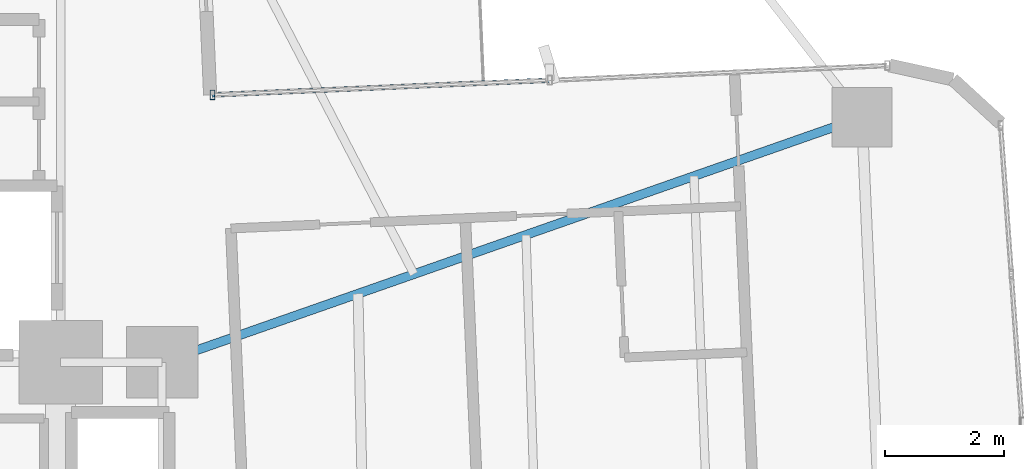
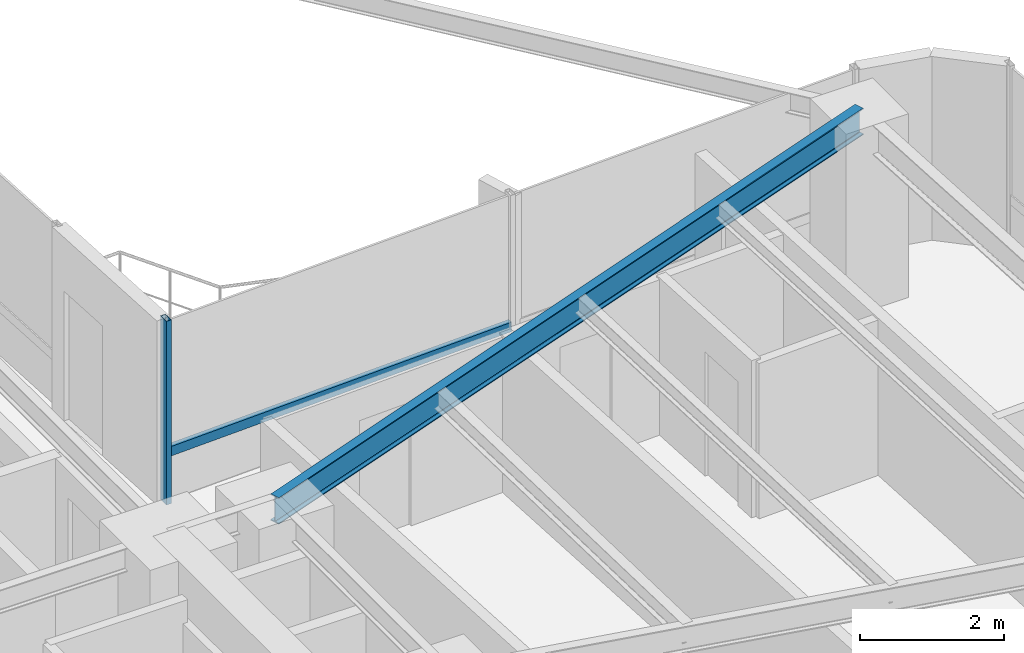
# One storey, part 13 of 26: 2 members, 1 beam, 1 element without a shape of its own.
"""IFC4 building model written with IfcOpenShell, lengths in metres."""

from ifc_helpers import new_model, si_unit, direction, frame, origin, origin_2d, place, context, subcontext, project, spatial, hollow_rectangle, i_section, extrude, source, transform, mapped, material, material_profile, profile_set, type_object, element, aggregate, save


model = new_model("IFC4")

# Units and contexts
model_context = context("Model", 3, precision=1e-05, world=origin(), true_north=direction((0.0, 1.0)))
body_context = subcontext(model_context, "Body", "Model", "MODEL_VIEW")
ifc_project = project(units=[si_unit("LENGTHUNIT", "METRE"), si_unit("AREAUNIT", "SQUARE_METRE"), si_unit("VOLUMEUNIT", "CUBIC_METRE"), si_unit("PLANEANGLEUNIT", "RADIAN"), si_unit("MASSUNIT", "GRAM", prefix="KILO")], contexts=[model_context])

# Site, building, storey
site_placement = place(None, origin())
site = spatial("IfcSite", under=ifc_project, at=site_placement, CompositionType="ELEMENT")
building_placement = place(site_placement, origin())
building = spatial("IfcBuilding", under=site, at=building_placement, Name="Sahyath Konkavel Grand Hotel", CompositionType="ELEMENT")
storey_placement = place(building_placement, frame((0.0, 0.0, 118.14990234375)))
storey = spatial("IfcBuildingStorey", under=building, at=storey_placement, Name="L32", CompositionType="ELEMENT", Elevation=118.14990234375)

# Beam
ifc_material_1 = material(Name="Steel E350", Category="steel")
ifc_material_profile_1 = material_profile(ifc_material_1, i_section(OverallWidth=0.14990234375, OverallDepth=0.449951171875, WebThickness=0.009521484375, FlangeThickness=0.017333984375, FilletRadius=0.014892578125, at=origin_2d()), Name="ISMB 450")
ifc_profile_set_1 = profile_set([ifc_material_profile_1], Name="Steel E350")
beam_type = type_object("IfcBeamType", Name="BM-ISMB450", PredefinedType="BEAM", material=ifc_profile_set_1)
shared_shape_1 = source(origin(), body_context, "Body", "SweptSolid", [
    extrude(i_section(OverallWidth=0.14990234375, OverallDepth=0.449951171875, WebThickness=0.009521484375, FlangeThickness=0.017333984375, FilletRadius=0.014892578125, at=origin_2d()), origin(), (0.0, 0.0, 1.0), 12.430908203125),
])
beam_placement = place(storey_placement, frame((5.5, 2.39990234375, 2.885009765625), z_axis=(0.943819157235, 0.330462400941, 0.0), x_axis=(-0.330462400941, 0.943819157235, 0.0)))
element("IfcBeam", 1, at=beam_placement, inside=storey, type_object=beam_type, Name="L32 Cruciform Radial Girder EB", PredefinedType="BEAM", context=body_context, shape_type="MappedRepresentation", body=[
    mapped(shared_shape_1, transform((0.0, 0.0, 0.0), scale=1.0)),
])

# Curtain wall, members
ifc_material_2 = material(Name="Anodised Bronze Aluminium & Low-E Glazing", Category="aluminium")
curtain_wall_type = type_object("IfcCurtainWallType", Name="CW-ZONE2", PredefinedType="NOTDEFINED", material=ifc_material_2)
curtain_wall_placement = place(storey_placement, origin())
curtain_wall = element("IfcCurtainWall", 2, at=curtain_wall_placement, inside=storey, type_object=curtain_wall_type, Name="L32 Unitised Curtain Wall F7", PredefinedType="NOTDEFINED")
ifc_material_3 = material(Name="Anodised Bronze Aluminium", Category="aluminium")
ifc_material_profile_2 = material_profile(ifc_material_3, hollow_rectangle(XDim=0.080078125, YDim=0.159912109375, WallThickness=0.006103515625, at=origin_2d()), Name="RHS 160x80x6")
ifc_profile_set_2 = profile_set([ifc_material_profile_2], Name="Anodised Bronze Aluminium")
member_type_1 = type_object("IfcMemberType", Name="CW-MUL-160", PredefinedType="MULLION", material=ifc_profile_set_2)
shared_shape_2 = source(origin(), body_context, "Body", "SweptSolid", [
    extrude(hollow_rectangle(XDim=0.080078125, YDim=0.159912109375, WallThickness=0.006103515625, at=origin_2d()), origin(), (0.0, 0.0, 1.0), 3.110107421875),
])
member_1_placement = place(storey_placement, frame((6.345703125, 6.88330078125, 0.0), z_axis=(0.0, 0.0, 1.0), x_axis=(1.0, 0.0, 0.0)))
member_1 = element("IfcMember", 3, at=member_1_placement, type_object=member_type_1, Name="L32 Curtain Wall Mullion F7-2", PredefinedType="MULLION", context=body_context, shape_type="MappedRepresentation", body=[
    mapped(shared_shape_2, transform((0.0, 0.0, 0.0), scale=1.0)),
])
ifc_material_profile_3 = material_profile(ifc_material_3, hollow_rectangle(XDim=0.080078125, YDim=0.159912109375, WallThickness=0.006103515625, at=origin_2d()), Name="RHS 160x80x6")
ifc_profile_set_3 = profile_set([ifc_material_profile_3], Name="Anodised Bronze Aluminium")
member_type_2 = type_object("IfcMemberType", Name="CW-TRN-160", PredefinedType="USERDEFINED", material=ifc_profile_set_3)
shared_shape_3 = source(origin(), body_context, "Body", "SweptSolid", [
    extrude(hollow_rectangle(XDim=0.080078125, YDim=0.159912109375, WallThickness=0.006103515625, at=origin_2d()), origin(), (0.0, 0.0, 1.0), 5.66015625),
])
member_2_placement = place(storey_placement, frame((12.00048828125, 7.13037109375, 0.85009765625), z_axis=(-0.9990468579, -0.043650609628, 0.0), x_axis=(0.043650609628, -0.9990468579, 0.0)))
member_2 = element("IfcMember", 4, at=member_2_placement, type_object=member_type_2, Name="L32 Curtain Wall Transom F7-1-spandrel", ObjectType="TRANSOM", PredefinedType="USERDEFINED", context=body_context, shape_type="MappedRepresentation", body=[
    mapped(shared_shape_3, transform((0.0, 0.0, 0.0), scale=1.0)),
])
aggregate(curtain_wall, [member_1, member_2])

save(model, "model.ifc")
